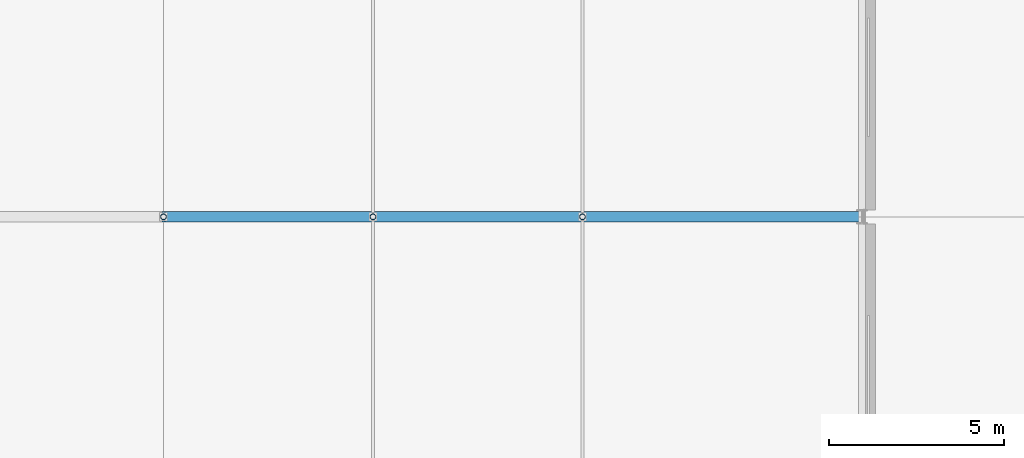
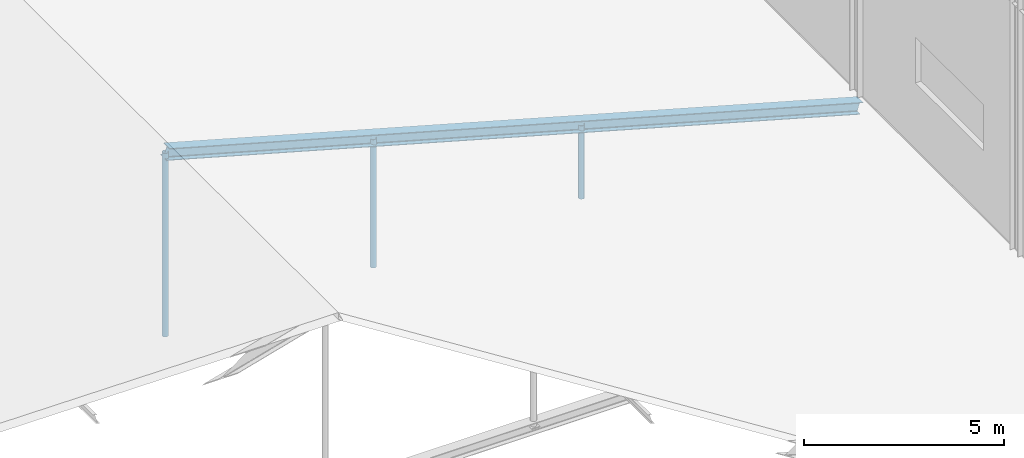
# One storey, part 22 of 49: 4 members.
"""IFC4 building model written with IfcOpenShell, lengths in metres."""

from ifc_helpers import new_model, si_unit, direction, frame, origin, origin_2d, place, context, subcontext, project, spatial, hollow_circle, i_section, extrude, material, material_profile, profile_set, type_object, element, save


model = new_model("IFC4")

# Units and contexts
model_context = context("Model", 3, precision=1e-05, world=origin(), true_north=direction((0.0, 1.0)))
body_context = subcontext(model_context, "Body", "Model", "MODEL_VIEW")
ifc_project = project(units=[si_unit("LENGTHUNIT", "METRE"), si_unit("AREAUNIT", "SQUARE_METRE"), si_unit("VOLUMEUNIT", "CUBIC_METRE"), si_unit("PLANEANGLEUNIT", "RADIAN"), si_unit("MASSUNIT", "GRAM", prefix="KILO")], contexts=[model_context])

# Site, building, storey
site_placement = place(None, origin())
site = spatial("IfcSite", under=ifc_project, at=site_placement, CompositionType="ELEMENT")
building_placement = place(site_placement, origin())
building = spatial("IfcBuilding", under=site, at=building_placement, Name="Sundkrona Museum", CompositionType="ELEMENT")
storey_placement = place(building_placement, frame((0.0, 0.0, 26.0)))
storey = spatial("IfcBuildingStorey", under=building, at=storey_placement, Name="L05", CompositionType="ELEMENT", Elevation=26.0)

# Members
ifc_material = material(Name="Steel S355J2", Category="steel")
ifc_material_profile_1 = material_profile(ifc_material, hollow_circle(Radius=0.084228515625, WallThickness=0.008056640625, at=origin_2d()), Name="CHS 168.3x8.0")
ifc_profile_set_1 = profile_set([ifc_material_profile_1], Name="Steel S355J2")
member_type_1 = type_object("IfcMemberType", Name="ST-CHS168", PredefinedType="STRUT", material=ifc_profile_set_1)
member_1_placement = place(storey_placement, frame((100.0, 24.0, -0.39990234375), z_axis=(0.0, 0.0, 1.0), x_axis=(1.0, 0.0, 0.0)))
element("IfcMember", 1, at=member_1_placement, inside=storey, type_object=member_type_1, Name="RFS-1 Atrium Truss 4 Web Strut 100", PredefinedType="STRUT", context=body_context, shape_type="SweptSolid", body=[
    extrude(hollow_circle(Radius=0.084228515625, WallThickness=0.008056640625, at=origin_2d()), origin(), (0.0, 0.0, 1.0), 5.593994140625),
])
member_2_placement = place(storey_placement, frame((106.0, 24.0, -0.39990234375), z_axis=(0.0, 0.0, 1.0), x_axis=(1.0, 0.0, 0.0)))
element("IfcMember", 2, at=member_2_placement, inside=storey, type_object=member_type_1, Name="RFS-1 Atrium Truss 4 Web Strut 106", PredefinedType="STRUT", context=body_context, shape_type="SweptSolid", body=[
    extrude(hollow_circle(Radius=0.084228515625, WallThickness=0.008056640625, at=origin_2d()), origin(), (0.0, 0.0, 1.0), 3.915771484375),
])
member_3_placement = place(storey_placement, frame((112.0, 24.0, -0.39990234375), z_axis=(0.0, 0.0, 1.0), x_axis=(1.0, 0.0, 0.0)))
element("IfcMember", 3, at=member_3_placement, inside=storey, type_object=member_type_1, Name="RFS-1 Atrium Truss 4 Web Strut 112", PredefinedType="STRUT", context=body_context, shape_type="SweptSolid", body=[
    extrude(hollow_circle(Radius=0.084228515625, WallThickness=0.008056640625, at=origin_2d()), origin(), (0.0, 0.0, 1.0), 2.237548828125),
])
ifc_material_profile_2 = material_profile(ifc_material, i_section(OverallWidth=0.300048828125, OverallDepth=0.35009765625, WebThickness=0.010009765625, FlangeThickness=0.017578125, FilletRadius=0.027099609375, at=origin_2d()), Name="HEA 360")
ifc_profile_set_2 = profile_set([ifc_material_profile_2], Name="Steel S355J2")
member_type_2 = type_object("IfcMemberType", Name="TC-HEA360", PredefinedType="CHORD", material=ifc_profile_set_2)
member_4_placement = place(storey_placement, frame((100.0, 24.0, 5.194091796875), z_axis=(0.963039069801, 0.0, -0.269361745683), x_axis=(0.0, 1.0, 0.0)))
element("IfcMember", 4, at=member_4_placement, inside=storey, type_object=member_type_2, Name="RFS-1 Atrium Truss 4 East Rafter Chord", PredefinedType="CHORD", context=body_context, shape_type="SweptSolid", body=[
    extrude(i_section(OverallWidth=0.300048828125, OverallDepth=0.35009765625, WebThickness=0.010009765625, FlangeThickness=0.017578125, FilletRadius=0.027099609375, at=origin_2d()), origin(), (0.0, 0.0, 1.0), 20.767578125),
])

save(model, "model.ifc")
